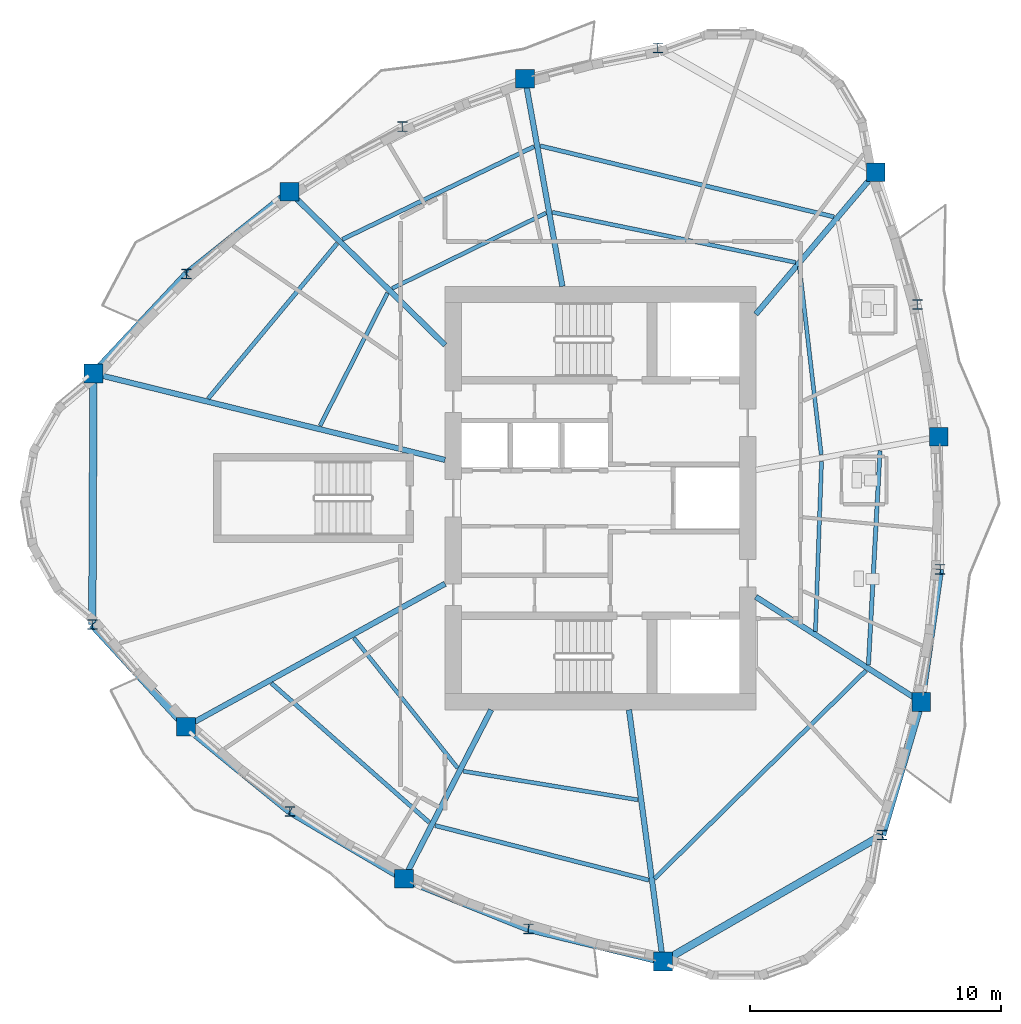
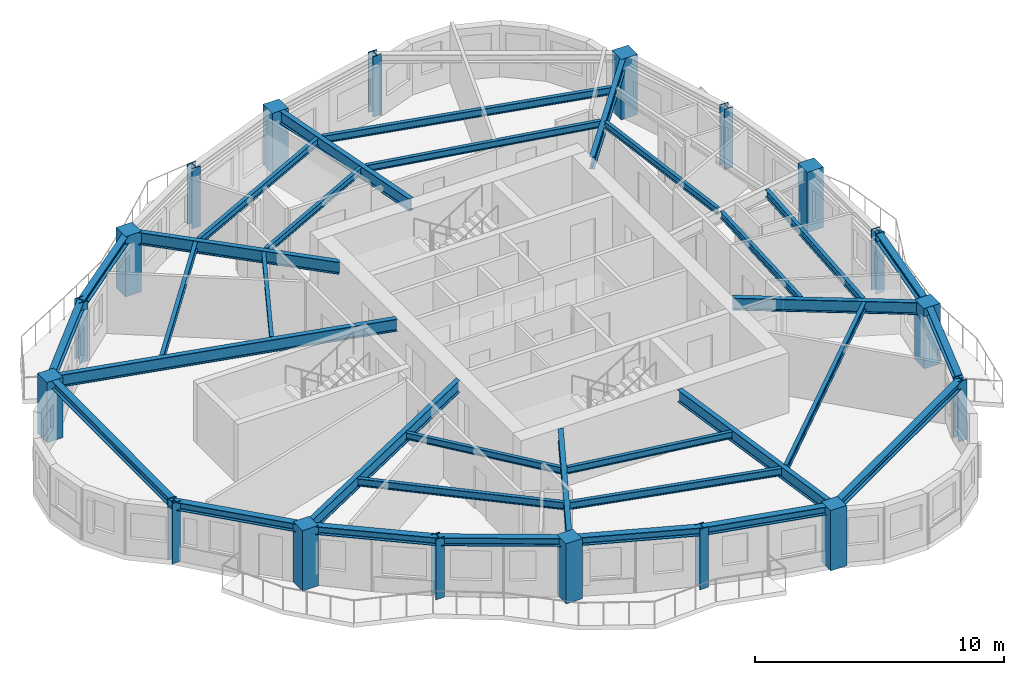
# One storey, part 1 of 12: 33 beams, 18 columns.
"""IFC4 building model written with IfcOpenShell, lengths in metres."""

from ifc_helpers import new_model, si_unit, direction, frame, origin, origin_2d, place, context, subcontext, project, spatial, rectangle, i_section, extrude, source, transform, mapped, material, material_profile, profile_set, type_object, element, save


model = new_model("IFC4")

# Units and contexts
model_context = context("Model", 3, precision=1e-05, world=origin(), true_north=direction((0.0, 1.0)))
body_context = subcontext(model_context, "Body", "Model", "MODEL_VIEW")
ifc_project = project(units=[si_unit("LENGTHUNIT", "METRE"), si_unit("AREAUNIT", "SQUARE_METRE"), si_unit("VOLUMEUNIT", "CUBIC_METRE"), si_unit("PLANEANGLEUNIT", "RADIAN"), si_unit("MASSUNIT", "GRAM", prefix="KILO")], contexts=[model_context])

# Site, building, storey
site_placement = place(None, origin())
site = spatial("IfcSite", under=ifc_project, at=site_placement, CompositionType="ELEMENT")
building_placement = place(site_placement, origin())
building = spatial("IfcBuilding", under=site, at=building_placement, Name="Qafzar Sky-Pleat Residences", CompositionType="ELEMENT")
storey_placement = place(building_placement, frame((0.0, 0.0, 145.800048828125)))
storey = spatial("IfcBuildingStorey", under=building, at=storey_placement, Name="L43", CompositionType="ELEMENT", Elevation=145.800048828125)

# Columns
ifc_material_1 = material(Name="Concrete C60/75", Category="concrete")
ifc_material_profile_1 = material_profile(ifc_material_1, rectangle(XDim=0.75, YDim=0.75, at=origin_2d()), Name="RC 750x750")
ifc_profile_set_1 = profile_set([ifc_material_profile_1], Name="Concrete C60/75")
column_type_1 = type_object("IfcColumnType", Name="COL-RC-750", PredefinedType="COLUMN", material=ifc_profile_set_1)
shared_shape_1 = source(origin(), body_context, "Body", "SweptSolid", [
    extrude(rectangle(XDim=0.75, YDim=0.75, at=origin_2d()), origin(), (0.0, 0.0, 1.0), 2.949951171875),
])
for number, where, z_axis, x_axis, name in (
    (1, (10.118896484375, 30.967529296875, 0.0), (0.0, 0.0, 1.0), (1.0, 0.0, 0.0), "L43 Perimeter Mega Column 1"),
    (2, (13.80810546875, 16.87646484375, 0.0), (0.0, 0.0, 1.0), (1.0, 0.0, 0.0), "L43 Perimeter Mega Column 3"),
    (3, (22.509521484375, 10.806640625, 0.0), (0.0, 0.0, 1.0), (1.0, 0.0, 0.0), "L43 Perimeter Mega Column 5"),
    (4, (32.845458984375, 7.506103515625, 0.0), (0.0, 0.0, 1.0), (1.0, 0.0, 0.0), "L43 Perimeter Mega Column 7"),
    (5, (43.150390625, 17.861572265625, 0.0), (0.0, 0.0, 1.0), (1.0, 0.0, 0.0), "L43 Perimeter Mega Column 9"),
    (6, (43.852294921875, 28.447265625, 0.0), (0.0, 0.0, 1.0), (1.0, 0.0, 0.0), "L43 Perimeter Mega Column 11"),
    (7, (41.33837890625, 39.002197265625, 0.0), (0.0, 0.0, 1.0), (1.0, 0.0, 0.0), "L43 Perimeter Mega Column 13"),
    (8, (27.34423828125, 42.738037109375, 0.0), (0.0, 0.0, 1.0), (1.0, 0.0, 0.0), "L43 Perimeter Mega Column 15"),
    (9, (17.94091796875, 38.221923828125, 0.0), (0.0, 0.0, 1.0), (1.0, 0.0, 0.0), "L43 Perimeter Mega Column 17"),
):
    element("IfcColumn", number, at=place(storey_placement, frame(where, z_axis=z_axis, x_axis=x_axis)), inside=storey, type_object=column_type_1, Name=name, PredefinedType="COLUMN", context=body_context, shape_type="MappedRepresentation", body=[
        mapped(shared_shape_1, transform((0.0, 0.0, 0.0), x_axis=(1.0, 0.0, 0.0), y_axis=(0.0, 1.0, 0.0), z_axis=(0.0, 0.0, 1.0), scale=1.0)),
    ])
ifc_material_2 = material(Name="Steel S355", Category="steel")
ifc_material_profile_2 = material_profile(ifc_material_2, i_section(OverallWidth=0.40087890625, OverallDepth=0.39892578125, WebThickness=0.02294921875, FlangeThickness=0.035888671875, FilletRadius=0.014892578125, at=origin_2d()), Name="HD 400x314")
ifc_profile_set_2 = profile_set([ifc_material_profile_2], Name="Steel S355")
column_type_2 = type_object("IfcColumnType", Name="COL-STL-HD314", PredefinedType="PILASTER", material=ifc_profile_set_2)
shared_shape_2 = source(origin(), body_context, "Body", "SweptSolid", [
    extrude(i_section(OverallWidth=0.40087890625, OverallDepth=0.39892578125, WebThickness=0.02294921875, FlangeThickness=0.035888671875, FilletRadius=0.014892578125, at=origin_2d()), origin(), (0.0, 0.0, 1.0), 2.949951171875),
])
for number, where, z_axis, x_axis, name in (
    (10, (10.070556640625, 20.94970703125, 0.0), (0.0, 0.0, 1.0), (1.0, 0.0, 0.0), "L43 Perimeter Mega Column 2"),
    (11, (17.954345703125, 13.495361328125, 0.0), (0.0, 0.0, 1.0), (1.0, 0.0, 0.0), "L43 Perimeter Mega Column 4"),
    (12, (27.472900390625, 8.810302734375, 0.0), (0.0, 0.0, 1.0), (1.0, 0.0, 0.0), "L43 Perimeter Mega Column 6"),
    (13, (41.593505859375, 12.556884765625, 0.0), (0.0, 0.0, 1.0), (1.0, 0.0, 0.0), "L43 Perimeter Mega Column 8"),
    (14, (43.9033203125, 23.158203125, 0.0), (0.0, 0.0, 1.0), (1.0, 0.0, 0.0), "L43 Perimeter Mega Column 10"),
    (15, (42.997314453125, 33.728759765625, 0.0), (0.0, 0.0, 1.0), (1.0, 0.0, 0.0), "L43 Perimeter Mega Column 12"),
    (16, (32.638671875, 43.96923828125, 0.0), (0.0, 0.0, 1.0), (1.0, 0.0, 0.0), "L43 Perimeter Mega Column 14"),
    (17, (22.445068359375, 40.822265625, 0.0), (0.0, 0.0, 1.0), (1.0, 0.0, 0.0), "L43 Perimeter Mega Column 16"),
    (18, (13.832275390625, 34.93701171875, 0.0), (0.0, 0.0, 1.0), (1.0, 0.0, 0.0), "L43 Perimeter Mega Column 18"),
):
    element("IfcColumn", number, at=place(storey_placement, frame(where, z_axis=z_axis, x_axis=x_axis)), inside=storey, type_object=column_type_2, Name=name, PredefinedType="PILASTER", context=body_context, shape_type="MappedRepresentation", body=[
        mapped(shared_shape_2, transform((0.0, 0.0, 0.0), x_axis=(1.0, 0.0, 0.0), y_axis=(0.0, 1.0, 0.0), z_axis=(0.0, 0.0, 1.0), scale=1.0)),
    ])

# Beams
ifc_material_profile_3 = material_profile(ifc_material_2, i_section(OverallWidth=0.300048828125, OverallDepth=0.39990234375, WebThickness=0.013427734375, FlangeThickness=0.02392578125, FilletRadius=0.027099609375, at=origin_2d()), Name="HEB 400")
ifc_profile_set_3 = profile_set([ifc_material_profile_3], Name="Steel S355")
beam_type_1 = type_object("IfcBeamType", Name="BM-SPAN-HEB400", PredefinedType="SPANDREL", material=ifc_profile_set_3)
shared_shape_3 = source(origin(), body_context, "Body", "SweptSolid", [
    extrude(i_section(OverallWidth=0.300048828125, OverallDepth=0.39990234375, WebThickness=0.013427734375, FlangeThickness=0.02392578125, FilletRadius=0.027099609375, at=origin_2d()), origin(), (0.0, 0.0, 1.0), 10.017822265625),
])
beam_1_placement = place(storey_placement, frame((10.118896484375, 30.967529296875, 2.748046875), z_axis=(-0.00482532827, -0.999988358036, 0.0), x_axis=(0.999988358036, -0.00482532827, 0.0)))
element("IfcBeam", 19, at=beam_1_placement, inside=storey, type_object=beam_type_1, Name="L43 Perimeter Spandrel Beam 1", PredefinedType="SPANDREL", context=body_context, shape_type="MappedRepresentation", body=[
    mapped(shared_shape_3, transform((0.0, 0.0, 0.0), x_axis=(1.0, 0.0, 0.0), y_axis=(0.0, 1.0, 0.0), z_axis=(0.0, 0.0, 1.0), scale=1.0)),
])
shared_shape_4 = source(origin(), body_context, "Body", "SweptSolid", [
    extrude(i_section(OverallWidth=0.300048828125, OverallDepth=0.39990234375, WebThickness=0.013427734375, FlangeThickness=0.02392578125, FilletRadius=0.027099609375, at=origin_2d()), origin(), (0.0, 0.0, 1.0), 5.528076171875),
])
beam_2_placement = place(storey_placement, frame((10.070556640625, 20.94970703125, 2.748046875), z_axis=(0.676092514403, -0.736816742459, 0.0), x_axis=(0.736816742459, 0.676092514403, 0.0)))
element("IfcBeam", 20, at=beam_2_placement, inside=storey, type_object=beam_type_1, Name="L43 Perimeter Spandrel Beam 2", PredefinedType="SPANDREL", context=body_context, shape_type="MappedRepresentation", body=[
    mapped(shared_shape_4, transform((0.0, 0.0, 0.0), x_axis=(1.0, 0.0, 0.0), y_axis=(0.0, 1.0, 0.0), z_axis=(0.0, 0.0, 1.0), scale=1.0)),
])
shared_shape_5 = source(origin(), body_context, "Body", "SweptSolid", [
    extrude(i_section(OverallWidth=0.300048828125, OverallDepth=0.39990234375, WebThickness=0.013427734375, FlangeThickness=0.02392578125, FilletRadius=0.027099609375, at=origin_2d()), origin(), (0.0, 0.0, 1.0), 5.35009765625),
])
beam_3_placement = place(storey_placement, frame((13.80810546875, 16.87646484375, 2.748046875), z_axis=(0.774989116833, -0.631974579228, 0.0), x_axis=(0.631974579228, 0.774989116833, 0.0)))
element("IfcBeam", 21, at=beam_3_placement, inside=storey, type_object=beam_type_1, Name="L43 Perimeter Spandrel Beam 3", PredefinedType="SPANDREL", context=body_context, shape_type="MappedRepresentation", body=[
    mapped(shared_shape_5, transform((0.0, 0.0, 0.0), x_axis=(1.0, 0.0, 0.0), y_axis=(0.0, 1.0, 0.0), z_axis=(0.0, 0.0, 1.0), scale=1.0)),
])
shared_shape_6 = source(origin(), body_context, "Body", "SweptSolid", [
    extrude(i_section(OverallWidth=0.300048828125, OverallDepth=0.39990234375, WebThickness=0.013427734375, FlangeThickness=0.02392578125, FilletRadius=0.027099609375, at=origin_2d()), origin(), (0.0, 0.0, 1.0), 5.28955078125),
])
beam_4_placement = place(storey_placement, frame((17.954345703125, 13.495361328125, 2.748046875), z_axis=(0.861172685221, -0.508312508433, 0.0), x_axis=(0.508312508433, 0.861172685221, 0.0)))
element("IfcBeam", 22, at=beam_4_placement, inside=storey, type_object=beam_type_1, Name="L43 Perimeter Spandrel Beam 4", PredefinedType="SPANDREL", context=body_context, shape_type="MappedRepresentation", body=[
    mapped(shared_shape_6, transform((0.0, 0.0, 0.0), x_axis=(1.0, 0.0, 0.0), y_axis=(0.0, 1.0, 0.0), z_axis=(0.0, 0.0, 1.0), scale=1.0)),
])
shared_shape_7 = source(origin(), body_context, "Body", "SweptSolid", [
    extrude(i_section(OverallWidth=0.300048828125, OverallDepth=0.39990234375, WebThickness=0.013427734375, FlangeThickness=0.02392578125, FilletRadius=0.027099609375, at=origin_2d()), origin(), (0.0, 0.0, 1.0), 5.349853515625),
])
for number, where, z_axis, x_axis, name in (
    (23, (22.509521484375, 10.806640625, 2.748046875), (0.927766868226, -0.373160338489, 0.0), (0.373160338489, 0.927766868226, 0.0), "L43 Perimeter Spandrel Beam 5"),
    (24, (43.150390625, 17.861572265625, 2.748046875), (0.140737713263, 0.990046916093, 0.0), (-0.990046916093, 0.140737713263, 0.0), "L43 Perimeter Spandrel Beam 9"),
):
    element("IfcBeam", number, at=place(storey_placement, frame(where, z_axis=z_axis, x_axis=x_axis)), inside=storey, type_object=beam_type_1, Name=name, PredefinedType="SPANDREL", context=body_context, shape_type="MappedRepresentation", body=[
        mapped(shared_shape_7, transform((0.0, 0.0, 0.0), x_axis=(1.0, 0.0, 0.0), y_axis=(0.0, 1.0, 0.0), z_axis=(0.0, 0.0, 1.0), scale=1.0)),
    ])
shared_shape_8 = source(origin(), body_context, "Body", "SweptSolid", [
    extrude(i_section(OverallWidth=0.300048828125, OverallDepth=0.39990234375, WebThickness=0.013427734375, FlangeThickness=0.02392578125, FilletRadius=0.027099609375, at=origin_2d()), origin(), (0.0, 0.0, 1.0), 5.528564453125),
])
beam_5_placement = place(storey_placement, frame((27.472900390625, 8.810302734375, 2.748046875), z_axis=(0.971777136358, -0.235900820795, 0.0), x_axis=(0.235900820795, 0.971777136358, 0.0)))
element("IfcBeam", 25, at=beam_5_placement, inside=storey, type_object=beam_type_1, Name="L43 Perimeter Spandrel Beam 6", PredefinedType="SPANDREL", context=body_context, shape_type="MappedRepresentation", body=[
    mapped(shared_shape_8, transform((0.0, 0.0, 0.0), x_axis=(1.0, 0.0, 0.0), y_axis=(0.0, 1.0, 0.0), z_axis=(0.0, 0.0, 1.0), scale=1.0)),
])
shared_shape_9 = source(origin(), body_context, "Body", "SweptSolid", [
    extrude(i_section(OverallWidth=0.300048828125, OverallDepth=0.39990234375, WebThickness=0.013427734375, FlangeThickness=0.02392578125, FilletRadius=0.027099609375, at=origin_2d()), origin(), (0.0, 0.0, 1.0), 10.101318359375),
])
beam_6_placement = place(storey_placement, frame((32.845458984375, 7.506103515625, 2.748046875), z_axis=(0.86602137294, 0.500006981563, 0.0), x_axis=(-0.500006981563, 0.86602137294, 0.0)))
element("IfcBeam", 26, at=beam_6_placement, inside=storey, type_object=beam_type_1, Name="L43 Perimeter Spandrel Beam 7", PredefinedType="SPANDREL", context=body_context, shape_type="MappedRepresentation", body=[
    mapped(shared_shape_9, transform((0.0, 0.0, 0.0), x_axis=(1.0, 0.0, 0.0), y_axis=(0.0, 1.0, 0.0), z_axis=(0.0, 0.0, 1.0), scale=1.0)),
])
shared_shape_10 = source(origin(), body_context, "Body", "SweptSolid", [
    extrude(i_section(OverallWidth=0.300048828125, OverallDepth=0.39990234375, WebThickness=0.013427734375, FlangeThickness=0.02392578125, FilletRadius=0.027099609375, at=origin_2d()), origin(), (0.0, 0.0, 1.0), 5.5283203125),
])
beam_7_placement = place(storey_placement, frame((41.593505859375, 12.556884765625, 2.748046875), z_axis=(0.281613984851, 0.959527781534, 0.0), x_axis=(-0.959527781534, 0.281613984851, 0.0)))
element("IfcBeam", 27, at=beam_7_placement, inside=storey, type_object=beam_type_1, Name="L43 Perimeter Spandrel Beam 8", PredefinedType="SPANDREL", context=body_context, shape_type="MappedRepresentation", body=[
    mapped(shared_shape_10, transform((0.0, 0.0, 0.0), x_axis=(1.0, 0.0, 0.0), y_axis=(0.0, 1.0, 0.0), z_axis=(0.0, 0.0, 1.0), scale=1.0)),
])
shared_shape_11 = source(origin(), body_context, "Body", "SweptSolid", [
    extrude(i_section(OverallWidth=0.300048828125, OverallDepth=0.39990234375, WebThickness=0.013427734375, FlangeThickness=0.02392578125, FilletRadius=0.027099609375, at=origin_2d()), origin(), (0.0, 0.0, 1.0), 5.260498046875),
])
beam_8_placement = place(storey_placement, frame((17.94091796875, 38.221923828125, 2.748046875), z_axis=(-0.781054419842, -0.62446296387, 0.0), x_axis=(0.62446296387, -0.781054419842, 0.0)))
element("IfcBeam", 28, at=beam_8_placement, inside=storey, type_object=beam_type_1, Name="L43 Perimeter Spandrel Beam 17", PredefinedType="SPANDREL", context=body_context, shape_type="MappedRepresentation", body=[
    mapped(shared_shape_11, transform((0.0, 0.0, 0.0), x_axis=(1.0, 0.0, 0.0), y_axis=(0.0, 1.0, 0.0), z_axis=(0.0, 0.0, 1.0), scale=1.0)),
])
shared_shape_12 = source(origin(), body_context, "Body", "SweptSolid", [
    extrude(i_section(OverallWidth=0.300048828125, OverallDepth=0.39990234375, WebThickness=0.013427734375, FlangeThickness=0.02392578125, FilletRadius=0.027099609375, at=origin_2d()), origin(), (0.0, 0.0, 1.0), 5.435546875),
])
beam_9_placement = place(storey_placement, frame((13.832275390625, 34.93701171875, 2.748046875), z_axis=(-0.683156356099, -0.730272136345, 0.0), x_axis=(0.730272136345, -0.683156356099, 0.0)))
element("IfcBeam", 29, at=beam_9_placement, inside=storey, type_object=beam_type_1, Name="L43 Perimeter Spandrel Beam 18", PredefinedType="SPANDREL", context=body_context, shape_type="MappedRepresentation", body=[
    mapped(shared_shape_12, transform((0.0, 0.0, 0.0), x_axis=(1.0, 0.0, 0.0), y_axis=(0.0, 1.0, 0.0), z_axis=(0.0, 0.0, 1.0), scale=1.0)),
])
ifc_material_profile_4 = material_profile(ifc_material_2, i_section(OverallWidth=0.219970703125, OverallDepth=0.60009765625, WebThickness=0.011962890625, FlangeThickness=0.01904296875, FilletRadius=0.02392578125, at=origin_2d()), Name="IPE 600")
ifc_profile_set_4 = profile_set([ifc_material_profile_4], Name="Steel S355")
beam_type_2 = type_object("IfcBeamType", Name="BM-SEC-IPE600", PredefinedType="BEAM", material=ifc_profile_set_4)
shared_shape_13 = source(origin(), body_context, "Body", "SweptSolid", [
    extrude(i_section(OverallWidth=0.219970703125, OverallDepth=0.60009765625, WebThickness=0.011962890625, FlangeThickness=0.01904296875, FilletRadius=0.02392578125, at=origin_2d()), origin(), (0.0, 0.0, 1.0), 14.44775390625),
])
beam_10_placement = place(storey_placement, frame((10.118896484375, 30.967529296875, 2.64794921875), z_axis=(0.971150841514, -0.238466020696, 0.0), x_axis=(0.238466020696, 0.971150841514, 0.0)))
element("IfcBeam", 30, at=beam_10_placement, inside=storey, type_object=beam_type_2, Name="L43 Radial Floor Girder 1", PredefinedType="BEAM", context=body_context, shape_type="MappedRepresentation", body=[
    mapped(shared_shape_13, transform((0.0, 0.0, 0.0), x_axis=(1.0, 0.0, 0.0), y_axis=(0.0, 1.0, 0.0), z_axis=(0.0, 0.0, 1.0), scale=1.0)),
])
shared_shape_14 = source(origin(), body_context, "Body", "SweptSolid", [
    extrude(i_section(OverallWidth=0.219970703125, OverallDepth=0.60009765625, WebThickness=0.011962890625, FlangeThickness=0.01904296875, FilletRadius=0.02392578125, at=origin_2d()), origin(), (0.0, 0.0, 1.0), 11.810546875),
])
beam_11_placement = place(storey_placement, frame((13.80810546875, 16.87646484375, 2.64794921875), z_axis=(0.875647924206, 0.482950010699, 0.0), x_axis=(-0.482950010699, 0.875647924206, 0.0)))
element("IfcBeam", 31, at=beam_11_placement, inside=storey, type_object=beam_type_2, Name="L43 Radial Floor Girder 3", PredefinedType="BEAM", context=body_context, shape_type="MappedRepresentation", body=[
    mapped(shared_shape_14, transform((0.0, 0.0, 0.0), x_axis=(1.0, 0.0, 0.0), y_axis=(0.0, 1.0, 0.0), z_axis=(0.0, 0.0, 1.0), scale=1.0)),
])
shared_shape_15 = source(origin(), body_context, "Body", "SweptSolid", [
    extrude(i_section(OverallWidth=0.219970703125, OverallDepth=0.60009765625, WebThickness=0.011962890625, FlangeThickness=0.01904296875, FilletRadius=0.02392578125, at=origin_2d()), origin(), (0.0, 0.0, 1.0), 7.58837890625),
])
beam_12_placement = place(storey_placement, frame((22.509521484375, 10.806640625, 2.64794921875), z_axis=(0.458592108619, 0.888646880326, 0.0), x_axis=(-0.888646880326, 0.458592108619, 0.0)))
element("IfcBeam", 32, at=beam_12_placement, inside=storey, type_object=beam_type_2, Name="L43 Radial Floor Girder 5", PredefinedType="BEAM", context=body_context, shape_type="MappedRepresentation", body=[
    mapped(shared_shape_15, transform((0.0, 0.0, 0.0), x_axis=(1.0, 0.0, 0.0), y_axis=(0.0, 1.0, 0.0), z_axis=(0.0, 0.0, 1.0), scale=1.0)),
])
shared_shape_16 = source(origin(), body_context, "Body", "SweptSolid", [
    extrude(i_section(OverallWidth=0.219970703125, OverallDepth=0.60009765625, WebThickness=0.011962890625, FlangeThickness=0.01904296875, FilletRadius=0.02392578125, at=origin_2d()), origin(), (0.0, 0.0, 1.0), 10.135009765625),
])
beam_13_placement = place(storey_placement, frame((32.845458984375, 7.506103515625, 2.64794921875), z_axis=(-0.133717768347, 0.991019454112, 0.0), x_axis=(-0.991019454112, -0.133717768347, 0.0)))
element("IfcBeam", 33, at=beam_13_placement, inside=storey, type_object=beam_type_2, Name="L43 Radial Floor Girder 7", PredefinedType="BEAM", context=body_context, shape_type="MappedRepresentation", body=[
    mapped(shared_shape_16, transform((0.0, 0.0, 0.0), x_axis=(1.0, 0.0, 0.0), y_axis=(0.0, 1.0, 0.0), z_axis=(0.0, 0.0, 1.0), scale=1.0)),
])
shared_shape_17 = source(origin(), body_context, "Body", "SweptSolid", [
    extrude(i_section(OverallWidth=0.219970703125, OverallDepth=0.60009765625, WebThickness=0.011962890625, FlangeThickness=0.01904296875, FilletRadius=0.02392578125, at=origin_2d()), origin(), (0.0, 0.0, 1.0), 7.821533203125),
])
beam_14_placement = place(storey_placement, frame((43.150390625, 17.861572265625, 2.64794921875), z_axis=(-0.843874779066, 0.536540173012, 0.0), x_axis=(-0.536540173012, -0.843874779066, 0.0)))
element("IfcBeam", 34, at=beam_14_placement, inside=storey, type_object=beam_type_2, Name="L43 Radial Floor Girder 9", PredefinedType="BEAM", context=body_context, shape_type="MappedRepresentation", body=[
    mapped(shared_shape_17, transform((0.0, 0.0, 0.0), x_axis=(1.0, 0.0, 0.0), y_axis=(0.0, 1.0, 0.0), z_axis=(0.0, 0.0, 1.0), scale=1.0)),
])
shared_shape_18 = source(origin(), body_context, "Body", "SweptSolid", [
    extrude(i_section(OverallWidth=0.219970703125, OverallDepth=0.60009765625, WebThickness=0.011962890625, FlangeThickness=0.01904296875, FilletRadius=0.02392578125, at=origin_2d()), origin(), (0.0, 0.0, 1.0), 7.41845703125),
])
beam_15_placement = place(storey_placement, frame((41.33837890625, 39.002197265625, 2.64794921875), z_axis=(-0.645471500126, -0.763784356036, 0.0), x_axis=(0.763784356036, -0.645471500126, 0.0)))
element("IfcBeam", 35, at=beam_15_placement, inside=storey, type_object=beam_type_2, Name="L43 Radial Floor Girder 13", PredefinedType="BEAM", context=body_context, shape_type="MappedRepresentation", body=[
    mapped(shared_shape_18, transform((0.0, 0.0, 0.0), x_axis=(1.0, 0.0, 0.0), y_axis=(0.0, 1.0, 0.0), z_axis=(0.0, 0.0, 1.0), scale=1.0)),
])
shared_shape_19 = source(origin(), body_context, "Body", "SweptSolid", [
    extrude(i_section(OverallWidth=0.219970703125, OverallDepth=0.60009765625, WebThickness=0.011962890625, FlangeThickness=0.01904296875, FilletRadius=0.02392578125, at=origin_2d()), origin(), (0.0, 0.0, 1.0), 8.420654296875),
])
beam_16_placement = place(storey_placement, frame((27.34423828125, 42.738037109375, 2.64794921875), z_axis=(0.176741844964, -0.984257242919, 0.0), x_axis=(0.984257242919, 0.176741844964, 0.0)))
element("IfcBeam", 36, at=beam_16_placement, inside=storey, type_object=beam_type_2, Name="L43 Radial Floor Girder 15", PredefinedType="BEAM", context=body_context, shape_type="MappedRepresentation", body=[
    mapped(shared_shape_19, transform((0.0, 0.0, 0.0), x_axis=(1.0, 0.0, 0.0), y_axis=(0.0, 1.0, 0.0), z_axis=(0.0, 0.0, 1.0), scale=1.0)),
])
shared_shape_20 = source(origin(), body_context, "Body", "SweptSolid", [
    extrude(i_section(OverallWidth=0.219970703125, OverallDepth=0.60009765625, WebThickness=0.011962890625, FlangeThickness=0.01904296875, FilletRadius=0.02392578125, at=origin_2d()), origin(), (0.0, 0.0, 1.0), 8.71484375),
])
beam_17_placement = place(storey_placement, frame((17.94091796875, 38.221923828125, 2.64794921875), z_axis=(0.712465109952, -0.701707536728, 0.0), x_axis=(0.701707536728, 0.712465109952, 0.0)))
element("IfcBeam", 37, at=beam_17_placement, inside=storey, type_object=beam_type_2, Name="L43 Radial Floor Girder 17", PredefinedType="BEAM", context=body_context, shape_type="MappedRepresentation", body=[
    mapped(shared_shape_20, transform((0.0, 0.0, 0.0), x_axis=(1.0, 0.0, 0.0), y_axis=(0.0, 1.0, 0.0), z_axis=(0.0, 0.0, 1.0), scale=1.0)),
])
ifc_material_profile_5 = material_profile(ifc_material_2, i_section(OverallWidth=0.169921875, OverallDepth=0.360107421875, WebThickness=0.008056640625, FlangeThickness=0.0126953125, FilletRadius=0.01806640625, at=origin_2d()), Name="IPE 360")
ifc_profile_set_5 = profile_set([ifc_material_profile_5], Name="Steel S355")
beam_type_3 = type_object("IfcBeamType", Name="BM-JST-IPE360", PredefinedType="JOIST", material=ifc_profile_set_5)
shared_shape_21 = source(origin(), body_context, "Body", "SweptSolid", [
    extrude(i_section(OverallWidth=0.169921875, OverallDepth=0.360107421875, WebThickness=0.008056640625, FlangeThickness=0.0126953125, FilletRadius=0.01806640625, at=origin_2d()), origin(), (0.0, 0.0, 1.0), 8.40380859375),
])
beam_18_placement = place(storey_placement, frame((17.21875, 18.6123046875, 2.76806640625), z_axis=(0.750006540858, -0.661430411057, 0.0), x_axis=(0.661430411057, 0.750006540858, 0.0)))
element("IfcBeam", 38, at=beam_18_placement, inside=storey, type_object=beam_type_3, Name="L43 Outer Secondary Floor Joist 2", PredefinedType="JOIST", context=body_context, shape_type="MappedRepresentation", body=[
    mapped(shared_shape_21, transform((0.0, 0.0, 0.0), x_axis=(1.0, 0.0, 0.0), y_axis=(0.0, 1.0, 0.0), z_axis=(0.0, 0.0, 1.0), scale=1.0)),
])
shared_shape_22 = source(origin(), body_context, "Body", "SweptSolid", [
    extrude(i_section(OverallWidth=0.169921875, OverallDepth=0.360107421875, WebThickness=0.008056640625, FlangeThickness=0.0126953125, FilletRadius=0.01806640625, at=origin_2d()), origin(), (0.0, 0.0, 1.0), 8.80078125),
])
beam_19_placement = place(storey_placement, frame((23.75390625, 12.93115234375, 2.76806640625), z_axis=(0.968907948076, -0.247421478767, 0.0), x_axis=(0.247421478767, 0.968907948076, 0.0)))
element("IfcBeam", 39, at=beam_19_placement, inside=storey, type_object=beam_type_3, Name="L43 Outer Secondary Floor Joist 3", PredefinedType="JOIST", context=body_context, shape_type="MappedRepresentation", body=[
    mapped(shared_shape_22, transform((0.0, 0.0, 0.0), x_axis=(1.0, 0.0, 0.0), y_axis=(0.0, 1.0, 0.0), z_axis=(0.0, 0.0, 1.0), scale=1.0)),
])
shared_shape_23 = source(origin(), body_context, "Body", "SweptSolid", [
    extrude(i_section(OverallWidth=0.169921875, OverallDepth=0.360107421875, WebThickness=0.008056640625, FlangeThickness=0.0126953125, FilletRadius=0.01806640625, at=origin_2d()), origin(), (0.0, 0.0, 1.0), 11.829345703125),
])
beam_20_placement = place(storey_placement, frame((32.508056640625, 10.81494140625, 2.76806640625), z_axis=(0.712964349337, 0.701200282783, 0.0), x_axis=(-0.701200282783, 0.712964349337, 0.0)))
element("IfcBeam", 40, at=beam_20_placement, inside=storey, type_object=beam_type_3, Name="L43 Outer Secondary Floor Joist 4", PredefinedType="JOIST", context=body_context, shape_type="MappedRepresentation", body=[
    mapped(shared_shape_23, transform((0.0, 0.0, 0.0), x_axis=(1.0, 0.0, 0.0), y_axis=(0.0, 1.0, 0.0), z_axis=(0.0, 0.0, 1.0), scale=1.0)),
])
shared_shape_24 = source(origin(), body_context, "Body", "SweptSolid", [
    extrude(i_section(OverallWidth=0.169921875, OverallDepth=0.360107421875, WebThickness=0.008056640625, FlangeThickness=0.0126953125, FilletRadius=0.01806640625, at=origin_2d()), origin(), (0.0, 0.0, 1.0), 8.562255859375),
])
beam_21_placement = place(storey_placement, frame((41.04541015625, 19.339111328125, 2.76806640625), z_axis=(0.054061317053, 0.998537617718, 0.0), x_axis=(-0.998537617718, 0.054061317053, 0.0)))
element("IfcBeam", 41, at=beam_21_placement, inside=storey, type_object=beam_type_3, Name="L43 Outer Secondary Floor Joist 5", PredefinedType="JOIST", context=body_context, shape_type="MappedRepresentation", body=[
    mapped(shared_shape_24, transform((0.0, 0.0, 0.0), x_axis=(1.0, 0.0, 0.0), y_axis=(0.0, 1.0, 0.0), z_axis=(0.0, 0.0, 1.0), scale=1.0)),
])
shared_shape_25 = source(origin(), body_context, "Body", "SweptSolid", [
    extrude(i_section(OverallWidth=0.169921875, OverallDepth=0.360107421875, WebThickness=0.008056640625, FlangeThickness=0.0126953125, FilletRadius=0.01806640625, at=origin_2d()), origin(), (0.0, 0.0, 1.0), 12.060791015625),
])
beam_22_placement = place(storey_placement, frame((39.6748046875, 37.220703125, 2.76806640625), z_axis=(-0.972010836803, 0.234936019242, 0.0), x_axis=(-0.234936019242, -0.972010836803, 0.0)))
element("IfcBeam", 42, at=beam_22_placement, inside=storey, type_object=beam_type_3, Name="L43 Outer Secondary Floor Joist 7", PredefinedType="JOIST", context=body_context, shape_type="MappedRepresentation", body=[
    mapped(shared_shape_25, transform((0.0, 0.0, 0.0), x_axis=(1.0, 0.0, 0.0), y_axis=(0.0, 1.0, 0.0), z_axis=(0.0, 0.0, 1.0), scale=1.0)),
])
shared_shape_26 = source(origin(), body_context, "Body", "SweptSolid", [
    extrude(i_section(OverallWidth=0.169921875, OverallDepth=0.360107421875, WebThickness=0.008056640625, FlangeThickness=0.0126953125, FilletRadius=0.01806640625, at=origin_2d()), origin(), (0.0, 0.0, 1.0), 8.498779296875),
])
beam_23_placement = place(storey_placement, frame((27.698974609375, 40.027099609375, 2.76806640625), z_axis=(-0.900081850531, -0.435720853696, 0.0), x_axis=(0.435720853696, -0.900081850531, 0.0)))
element("IfcBeam", 43, at=beam_23_placement, inside=storey, type_object=beam_type_3, Name="L43 Outer Secondary Floor Joist 8", PredefinedType="JOIST", context=body_context, shape_type="MappedRepresentation", body=[
    mapped(shared_shape_26, transform((0.0, 0.0, 0.0), x_axis=(1.0, 0.0, 0.0), y_axis=(0.0, 1.0, 0.0), z_axis=(0.0, 0.0, 1.0), scale=1.0)),
])
shared_shape_27 = source(origin(), body_context, "Body", "SweptSolid", [
    extrude(i_section(OverallWidth=0.169921875, OverallDepth=0.360107421875, WebThickness=0.008056640625, FlangeThickness=0.0126953125, FilletRadius=0.01806640625, at=origin_2d()), origin(), (0.0, 0.0, 1.0), 8.0517578125),
])
beam_24_placement = place(storey_placement, frame((19.841552734375, 36.1611328125, 2.76806640625), z_axis=(-0.639184728214, -0.769053238221, 0.0), x_axis=(0.769053238221, -0.639184728214, 0.0)))
element("IfcBeam", 44, at=beam_24_placement, inside=storey, type_object=beam_type_3, Name="L43 Outer Secondary Floor Joist 9", PredefinedType="JOIST", context=body_context, shape_type="MappedRepresentation", body=[
    mapped(shared_shape_27, transform((0.0, 0.0, 0.0), x_axis=(1.0, 0.0, 0.0), y_axis=(0.0, 1.0, 0.0), z_axis=(0.0, 0.0, 1.0), scale=1.0)),
])
ifc_material_profile_6 = material_profile(ifc_material_2, i_section(OverallWidth=0.159912109375, OverallDepth=0.330078125, WebThickness=0.007568359375, FlangeThickness=0.011474609375, FilletRadius=0.01806640625, at=origin_2d()), Name="IPE 330")
ifc_profile_set_6 = profile_set([ifc_material_profile_6], Name="Steel S355")
beam_type_4 = type_object("IfcBeamType", Name="BM-JST-IPE330", PredefinedType="JOIST", material=ifc_profile_set_6)
shared_shape_28 = source(origin(), body_context, "Body", "SweptSolid", [
    extrude(i_section(OverallWidth=0.159912109375, OverallDepth=0.330078125, WebThickness=0.007568359375, FlangeThickness=0.011474609375, FilletRadius=0.01806640625, at=origin_2d()), origin(), (0.0, 0.0, 1.0), 6.642578125),
])
beam_25_placement = place(storey_placement, frame((20.510986328125, 20.42138671875, 2.782958984375), z_axis=(0.623452700646, -0.781861068257, 0.0), x_axis=(0.781861068257, 0.623452700646, 0.0)))
element("IfcBeam", 45, at=beam_25_placement, inside=storey, type_object=beam_type_4, Name="L43 Inner Secondary Floor Joist 2", PredefinedType="JOIST", context=body_context, shape_type="MappedRepresentation", body=[
    mapped(shared_shape_28, transform((0.0, 0.0, 0.0), x_axis=(1.0, 0.0, 0.0), y_axis=(0.0, 1.0, 0.0), z_axis=(0.0, 0.0, 1.0), scale=1.0)),
])
shared_shape_29 = source(origin(), body_context, "Body", "SweptSolid", [
    extrude(i_section(OverallWidth=0.159912109375, OverallDepth=0.330078125, WebThickness=0.007568359375, FlangeThickness=0.011474609375, FilletRadius=0.01806640625, at=origin_2d()), origin(), (0.0, 0.0, 1.0), 7.068359375),
])
beam_26_placement = place(storey_placement, frame((24.869873046875, 15.1005859375, 2.782958984375), z_axis=(0.986803428239, -0.161922802646, 0.0), x_axis=(0.161922802646, 0.986803428239, 0.0)))
element("IfcBeam", 46, at=beam_26_placement, inside=storey, type_object=beam_type_4, Name="L43 Inner Secondary Floor Joist 3", PredefinedType="JOIST", context=body_context, shape_type="MappedRepresentation", body=[
    mapped(shared_shape_29, transform((0.0, 0.0, 0.0), x_axis=(1.0, 0.0, 0.0), y_axis=(0.0, 1.0, 0.0), z_axis=(0.0, 0.0, 1.0), scale=1.0)),
])
shared_shape_30 = source(origin(), body_context, "Body", "SweptSolid", [
    extrude(i_section(OverallWidth=0.159912109375, OverallDepth=0.330078125, WebThickness=0.007568359375, FlangeThickness=0.011474609375, FilletRadius=0.01806640625, at=origin_2d()), origin(), (0.0, 0.0, 1.0), 6.78759765625),
])
beam_27_placement = place(storey_placement, frame((38.930908203125, 20.68212890625, 2.782958984375), z_axis=(0.035824958531, 0.999358080143, 0.0), x_axis=(-0.999358080143, 0.035824958531, 0.0)))
element("IfcBeam", 47, at=beam_27_placement, inside=storey, type_object=beam_type_4, Name="L43 Inner Secondary Floor Joist 5", PredefinedType="JOIST", context=body_context, shape_type="MappedRepresentation", body=[
    mapped(shared_shape_30, transform((0.0, 0.0, 0.0), x_axis=(1.0, 0.0, 0.0), y_axis=(0.0, 1.0, 0.0), z_axis=(0.0, 0.0, 1.0), scale=1.0)),
])
shared_shape_31 = source(origin(), body_context, "Body", "SweptSolid", [
    extrude(i_section(OverallWidth=0.159912109375, OverallDepth=0.330078125, WebThickness=0.007568359375, FlangeThickness=0.011474609375, FilletRadius=0.01806640625, at=origin_2d()), origin(), (0.0, 0.0, 1.0), 7.558349609375),
])
beam_28_placement = place(storey_placement, frame((39.1630859375, 27.734375, 2.782958984375), z_axis=(-0.115606103691, 0.993295136799, 0.0), x_axis=(-0.993295136799, -0.115606103691, 0.0)))
element("IfcBeam", 48, at=beam_28_placement, inside=storey, type_object=beam_type_4, Name="L43 Inner Secondary Floor Joist 6", PredefinedType="JOIST", context=body_context, shape_type="MappedRepresentation", body=[
    mapped(shared_shape_31, transform((0.0, 0.0, 0.0), x_axis=(1.0, 0.0, 0.0), y_axis=(0.0, 1.0, 0.0), z_axis=(0.0, 0.0, 1.0), scale=1.0)),
])
shared_shape_32 = source(origin(), body_context, "Body", "SweptSolid", [
    extrude(i_section(OverallWidth=0.159912109375, OverallDepth=0.330078125, WebThickness=0.007568359375, FlangeThickness=0.011474609375, FilletRadius=0.01806640625, at=origin_2d()), origin(), (0.0, 0.0, 1.0), 9.9169921875),
])
beam_29_placement = place(storey_placement, frame((38.1416015625, 35.4033203125, 2.782958984375), z_axis=(-0.979387052241, 0.201992578831, 0.0), x_axis=(-0.201992578831, -0.979387052241, 0.0)))
element("IfcBeam", 49, at=beam_29_placement, inside=storey, type_object=beam_type_4, Name="L43 Inner Secondary Floor Joist 7", PredefinedType="JOIST", context=body_context, shape_type="MappedRepresentation", body=[
    mapped(shared_shape_32, transform((0.0, 0.0, 0.0), x_axis=(1.0, 0.0, 0.0), y_axis=(0.0, 1.0, 0.0), z_axis=(0.0, 0.0, 1.0), scale=1.0)),
])
shared_shape_33 = source(origin(), body_context, "Body", "SweptSolid", [
    extrude(i_section(OverallWidth=0.159912109375, OverallDepth=0.330078125, WebThickness=0.007568359375, FlangeThickness=0.011474609375, FilletRadius=0.01806640625, at=origin_2d()), origin(), (0.0, 0.0, 1.0), 6.83642578125),
])
beam_30_placement = place(storey_placement, frame((28.175537109375, 37.374267578125, 2.782958984375), z_axis=(-0.898082284452, -0.439827477943, 0.0), x_axis=(0.439827477943, -0.898082284452, 0.0)))
element("IfcBeam", 50, at=beam_30_placement, inside=storey, type_object=beam_type_4, Name="L43 Inner Secondary Floor Joist 8", PredefinedType="JOIST", context=body_context, shape_type="MappedRepresentation", body=[
    mapped(shared_shape_33, transform((0.0, 0.0, 0.0), x_axis=(1.0, 0.0, 0.0), y_axis=(0.0, 1.0, 0.0), z_axis=(0.0, 0.0, 1.0), scale=1.0)),
])
shared_shape_34 = source(origin(), body_context, "Body", "SweptSolid", [
    extrude(i_section(OverallWidth=0.159912109375, OverallDepth=0.330078125, WebThickness=0.007568359375, FlangeThickness=0.011474609375, FilletRadius=0.01806640625, at=origin_2d()), origin(), (0.0, 0.0, 1.0), 5.94970703125),
])
beam_31_placement = place(storey_placement, frame((21.853515625, 34.187744140625, 2.782958984375), z_axis=(-0.45273652912, -0.891644343447, 0.0), x_axis=(0.891644343447, -0.45273652912, 0.0)))
element("IfcBeam", 51, at=beam_31_placement, inside=storey, type_object=beam_type_4, Name="L43 Inner Secondary Floor Joist 9", PredefinedType="JOIST", context=body_context, shape_type="MappedRepresentation", body=[
    mapped(shared_shape_34, transform((0.0, 0.0, 0.0), x_axis=(1.0, 0.0, 0.0), y_axis=(0.0, 1.0, 0.0), z_axis=(0.0, 0.0, 1.0), scale=1.0)),
])

save(model, "model.ifc")
